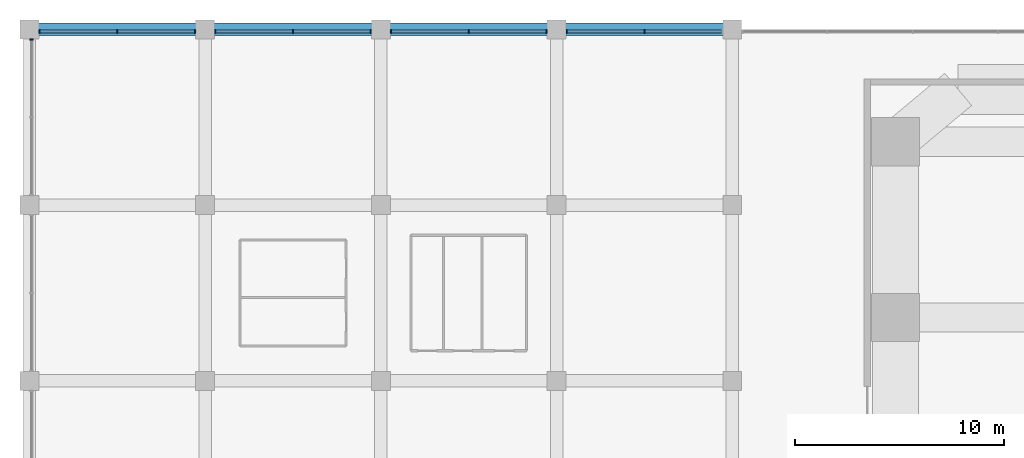
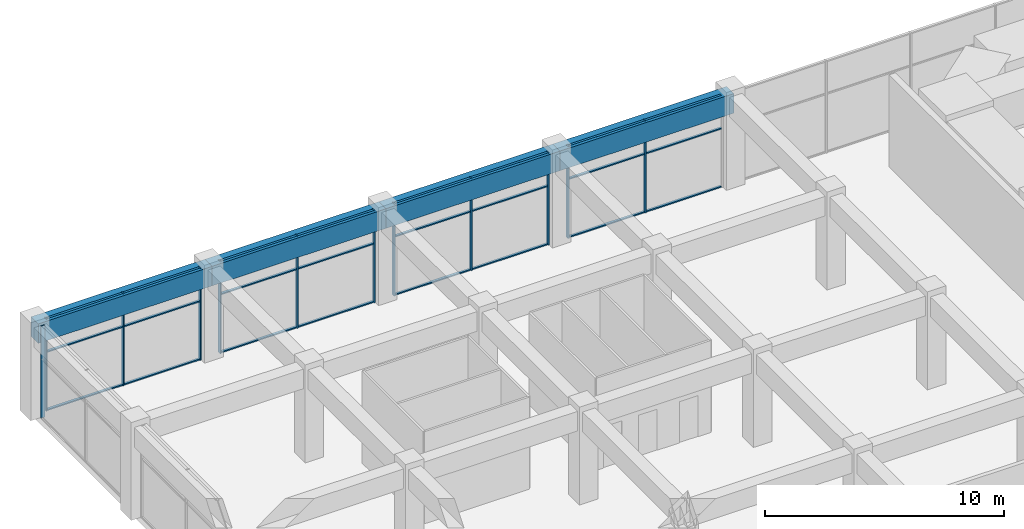
# One storey, part 18 of 34: 36 members, 4 beams, 5 elements without a shape of their own.
"""IFC4 building model written with IfcOpenShell, lengths in metres."""

from ifc_helpers import new_model, si_unit, direction, frame, origin, origin_2d, place, context, subcontext, project, spatial, rectangle, extrude, material, material_profile, profile_set, type_object, element, aggregate, save


model = new_model("IFC4")

# Units and contexts
model_context = context("Model", 3, precision=1e-05, world=origin(), true_north=direction((0.0, 1.0)))
body_context = subcontext(model_context, "Body", "Model", "MODEL_VIEW")
ifc_project = project(units=[si_unit("LENGTHUNIT", "METRE"), si_unit("AREAUNIT", "SQUARE_METRE"), si_unit("VOLUMEUNIT", "CUBIC_METRE"), si_unit("PLANEANGLEUNIT", "RADIAN"), si_unit("MASSUNIT", "GRAM", prefix="KILO")], contexts=[model_context])

# Site, building, storey
site_placement = place(None, origin())
site = spatial("IfcSite", under=ifc_project, at=site_placement, CompositionType="ELEMENT")
building_placement = place(site_placement, origin())
building = spatial("IfcBuilding", under=site, at=building_placement, Name="Impinga Residences", CompositionType="ELEMENT")
storey_placement = place(building_placement, frame((0.0, 0.0, 11.0)))
storey = spatial("IfcBuildingStorey", under=building, at=storey_placement, Name="L02", CompositionType="ELEMENT", Elevation=11.0)

# Curtain wall, member
ifc_material_1 = material(Name="Aluminium stick curtain wall", Category="aluminium")
curtain_wall_type = type_object("IfcCurtainWallType", Name="CW1 podium amenity curtain wall", PredefinedType="USERDEFINED", material=ifc_material_1)
curtain_wall_1_placement = place(storey_placement, origin())
curtain_wall_1 = element("IfcCurtainWall", 1, at=curtain_wall_1_placement, inside=storey, type_object=curtain_wall_type, Name="Curtain wall CW1 L02", ObjectType="STICK CURTAIN WALL", PredefinedType="USERDEFINED")
ifc_material_2 = material(Name="Aluminium mullion", Category="aluminium")
ifc_material_profile_1 = material_profile(ifc_material_2, rectangle(XDim=0.06005859375, YDim=0.179931640625, at=origin_2d()), Name="60x180 mullion")
ifc_profile_set_1 = profile_set([ifc_material_profile_1], Name="Aluminium mullion")
member_type_1 = type_object("IfcMemberType", Name="CW1-M mullion 60x180", PredefinedType="MULLION", material=ifc_profile_set_1)
member_1_placement = place(storey_placement, frame((-50.300048828125, 49.9169921875, 0.0), z_axis=(0.0, 0.0, 1.0), x_axis=(0.0, 1.0, 0.0)))
member_1 = element("IfcMember", 2, at=member_1_placement, type_object=member_type_1, Name="CW1 mullion 3", PredefinedType="MULLION", context=body_context, shape_type="SweptSolid", body=[
    extrude(rectangle(XDim=0.06005859375, YDim=0.179931640625, at=origin_2d()), origin(), (0.0, 0.0, 1.0), 4.699951171875),
])
aggregate(curtain_wall_1, [member_1])

# Curtain wall, members
curtain_wall_2_placement = place(storey_placement, origin())
curtain_wall_2 = element("IfcCurtainWall", 3, at=curtain_wall_2_placement, inside=storey, type_object=curtain_wall_type, Name="Curtain wall CW1 L02", ObjectType="STICK CURTAIN WALL", PredefinedType="USERDEFINED")
member_2_placement = place(storey_placement, frame((-49.9169921875, 50.300048828125, 0.0), z_axis=(0.0, 0.0, 1.0), x_axis=(1.0, 0.0, 0.0)))
member_2 = element("IfcMember", 4, at=member_2_placement, type_object=member_type_1, Name="CW1 mullion 1", PredefinedType="MULLION", context=body_context, shape_type="SweptSolid", body=[
    extrude(rectangle(XDim=0.06005859375, YDim=0.179931640625, at=origin_2d()), origin(), (0.0, 0.0, 1.0), 4.699951171875),
])
member_3_placement = place(storey_placement, frame((-46.199951171875, 50.300048828125, 0.0), z_axis=(0.0, 0.0, 1.0), x_axis=(1.0, 0.0, 0.0)))
member_3 = element("IfcMember", 5, at=member_3_placement, type_object=member_type_1, Name="CW1 mullion 2", PredefinedType="MULLION", context=body_context, shape_type="SweptSolid", body=[
    extrude(rectangle(XDim=0.06005859375, YDim=0.179931640625, at=origin_2d()), origin(), (0.0, 0.0, 1.0), 4.699951171875),
])
member_4_placement = place(storey_placement, frame((-42.48291015625, 50.300048828125, 0.0), z_axis=(0.0, 0.0, 1.0), x_axis=(1.0, 0.0, 0.0)))
member_4 = element("IfcMember", 6, at=member_4_placement, type_object=member_type_1, Name="CW1 mullion 3", PredefinedType="MULLION", context=body_context, shape_type="SweptSolid", body=[
    extrude(rectangle(XDim=0.06005859375, YDim=0.179931640625, at=origin_2d()), origin(), (0.0, 0.0, 1.0), 4.699951171875),
])

curtain_wall_3_placement = place(storey_placement, origin())
curtain_wall_3 = element("IfcCurtainWall", 7, at=curtain_wall_3_placement, inside=storey, type_object=curtain_wall_type, Name="Curtain wall CW1 L02", ObjectType="STICK CURTAIN WALL", PredefinedType="USERDEFINED")
member_5_placement = place(storey_placement, frame((-41.51708984375, 50.300048828125, 0.0), z_axis=(0.0, 0.0, 1.0), x_axis=(1.0, 0.0, 0.0)))
member_5 = element("IfcMember", 8, at=member_5_placement, type_object=member_type_1, Name="CW1 mullion 1", PredefinedType="MULLION", context=body_context, shape_type="SweptSolid", body=[
    extrude(rectangle(XDim=0.06005859375, YDim=0.179931640625, at=origin_2d()), origin(), (0.0, 0.0, 1.0), 4.699951171875),
])
member_6_placement = place(storey_placement, frame((-37.800048828125, 50.300048828125, 0.0), z_axis=(0.0, 0.0, 1.0), x_axis=(1.0, 0.0, 0.0)))
member_6 = element("IfcMember", 9, at=member_6_placement, type_object=member_type_1, Name="CW1 mullion 2", PredefinedType="MULLION", context=body_context, shape_type="SweptSolid", body=[
    extrude(rectangle(XDim=0.06005859375, YDim=0.179931640625, at=origin_2d()), origin(), (0.0, 0.0, 1.0), 4.699951171875),
])
member_7_placement = place(storey_placement, frame((-34.0830078125, 50.300048828125, 0.0), z_axis=(0.0, 0.0, 1.0), x_axis=(1.0, 0.0, 0.0)))
member_7 = element("IfcMember", 10, at=member_7_placement, type_object=member_type_1, Name="CW1 mullion 3", PredefinedType="MULLION", context=body_context, shape_type="SweptSolid", body=[
    extrude(rectangle(XDim=0.06005859375, YDim=0.179931640625, at=origin_2d()), origin(), (0.0, 0.0, 1.0), 4.699951171875),
])

curtain_wall_4_placement = place(storey_placement, origin())
curtain_wall_4 = element("IfcCurtainWall", 11, at=curtain_wall_4_placement, inside=storey, type_object=curtain_wall_type, Name="Curtain wall CW1 L02", ObjectType="STICK CURTAIN WALL", PredefinedType="USERDEFINED")
member_8_placement = place(storey_placement, frame((-33.116943359375, 50.300048828125, 0.0), z_axis=(0.0, 0.0, 1.0), x_axis=(1.0, 0.0, 0.0)))
member_8 = element("IfcMember", 12, at=member_8_placement, type_object=member_type_1, Name="CW1 mullion 1", PredefinedType="MULLION", context=body_context, shape_type="SweptSolid", body=[
    extrude(rectangle(XDim=0.06005859375, YDim=0.179931640625, at=origin_2d()), origin(), (0.0, 0.0, 1.0), 4.699951171875),
])
member_9_placement = place(storey_placement, frame((-29.39990234375, 50.300048828125, 0.0), z_axis=(0.0, 0.0, 1.0), x_axis=(1.0, 0.0, 0.0)))
member_9 = element("IfcMember", 13, at=member_9_placement, type_object=member_type_1, Name="CW1 mullion 2", PredefinedType="MULLION", context=body_context, shape_type="SweptSolid", body=[
    extrude(rectangle(XDim=0.06005859375, YDim=0.179931640625, at=origin_2d()), origin(), (0.0, 0.0, 1.0), 4.699951171875),
])
member_10_placement = place(storey_placement, frame((-25.68310546875, 50.300048828125, 0.0), z_axis=(0.0, 0.0, 1.0), x_axis=(1.0, 0.0, 0.0)))
member_10 = element("IfcMember", 14, at=member_10_placement, type_object=member_type_1, Name="CW1 mullion 3", PredefinedType="MULLION", context=body_context, shape_type="SweptSolid", body=[
    extrude(rectangle(XDim=0.06005859375, YDim=0.179931640625, at=origin_2d()), origin(), (0.0, 0.0, 1.0), 4.699951171875),
])

curtain_wall_5_placement = place(storey_placement, origin())
curtain_wall_5 = element("IfcCurtainWall", 15, at=curtain_wall_5_placement, inside=storey, type_object=curtain_wall_type, Name="Curtain wall CW1 L02", ObjectType="STICK CURTAIN WALL", PredefinedType="USERDEFINED")
member_11_placement = place(storey_placement, frame((-24.717041015625, 50.300048828125, 0.0), z_axis=(0.0, 0.0, 1.0), x_axis=(1.0, 0.0, 0.0)))
member_11 = element("IfcMember", 16, at=member_11_placement, type_object=member_type_1, Name="CW1 mullion 1", PredefinedType="MULLION", context=body_context, shape_type="SweptSolid", body=[
    extrude(rectangle(XDim=0.06005859375, YDim=0.179931640625, at=origin_2d()), origin(), (0.0, 0.0, 1.0), 4.699951171875),
])
member_12_placement = place(storey_placement, frame((-21.0, 50.300048828125, 0.0), z_axis=(0.0, 0.0, 1.0), x_axis=(1.0, 0.0, 0.0)))
member_12 = element("IfcMember", 17, at=member_12_placement, type_object=member_type_1, Name="CW1 mullion 2", PredefinedType="MULLION", context=body_context, shape_type="SweptSolid", body=[
    extrude(rectangle(XDim=0.06005859375, YDim=0.179931640625, at=origin_2d()), origin(), (0.0, 0.0, 1.0), 4.699951171875),
])

# Member
ifc_material_3 = material(Name="Aluminium transom", Category="aluminium")
ifc_material_profile_2 = material_profile(ifc_material_3, rectangle(XDim=0.06005859375, YDim=0.1201171875, at=origin_2d()), Name="60x120 transom")
ifc_profile_set_2 = profile_set([ifc_material_profile_2], Name="Aluminium transom")
member_type_2 = type_object("IfcMemberType", Name="CW1-T transom 60x120", PredefinedType="USERDEFINED", material=ifc_profile_set_2)
member_13_placement = place(storey_placement, frame((-49.886962890625, 50.300048828125, 0.030029296875), z_axis=(1.0, 0.0, 0.0), x_axis=(0.0, 0.0, 1.0)))
member_13 = element("IfcMember", 18, at=member_13_placement, type_object=member_type_2, Name="CW1 transom 1.1", ObjectType="TRANSOM", PredefinedType="USERDEFINED", context=body_context, shape_type="SweptSolid", body=[
    extrude(rectangle(XDim=0.06005859375, YDim=0.1201171875, at=origin_2d()), origin(), (0.0, 0.0, 1.0), 3.656982421875),
])

member_14_placement = place(storey_placement, frame((-49.886962890625, 50.300048828125, 3.0), z_axis=(1.0, 0.0, 0.0), x_axis=(0.0, 0.0, 1.0)))
member_14 = element("IfcMember", 19, at=member_14_placement, type_object=member_type_2, Name="CW1 transom 1.2", ObjectType="TRANSOM", PredefinedType="USERDEFINED", context=body_context, shape_type="SweptSolid", body=[
    extrude(rectangle(XDim=0.06005859375, YDim=0.1201171875, at=origin_2d()), origin(), (0.0, 0.0, 1.0), 3.656982421875),
])

member_15_placement = place(storey_placement, frame((-49.886962890625, 50.300048828125, 4.669921875), z_axis=(1.0, 0.0, 0.0), x_axis=(0.0, 0.0, 1.0)))
member_15 = element("IfcMember", 20, at=member_15_placement, type_object=member_type_2, Name="CW1 transom 1.3", ObjectType="TRANSOM", PredefinedType="USERDEFINED", context=body_context, shape_type="SweptSolid", body=[
    extrude(rectangle(XDim=0.06005859375, YDim=0.1201171875, at=origin_2d()), origin(), (0.0, 0.0, 1.0), 3.656982421875),
])

member_16_placement = place(storey_placement, frame((-46.169921875, 50.300048828125, 0.030029296875), z_axis=(1.0, 0.0, 0.0), x_axis=(0.0, 0.0, 1.0)))
member_16 = element("IfcMember", 21, at=member_16_placement, type_object=member_type_2, Name="CW1 transom 2.1", ObjectType="TRANSOM", PredefinedType="USERDEFINED", context=body_context, shape_type="SweptSolid", body=[
    extrude(rectangle(XDim=0.06005859375, YDim=0.1201171875, at=origin_2d()), origin(), (0.0, 0.0, 1.0), 3.656982421875),
])

member_17_placement = place(storey_placement, frame((-46.169921875, 50.300048828125, 3.0), z_axis=(1.0, 0.0, 0.0), x_axis=(0.0, 0.0, 1.0)))
member_17 = element("IfcMember", 22, at=member_17_placement, type_object=member_type_2, Name="CW1 transom 2.2", ObjectType="TRANSOM", PredefinedType="USERDEFINED", context=body_context, shape_type="SweptSolid", body=[
    extrude(rectangle(XDim=0.06005859375, YDim=0.1201171875, at=origin_2d()), origin(), (0.0, 0.0, 1.0), 3.656982421875),
])

member_18_placement = place(storey_placement, frame((-46.169921875, 50.300048828125, 4.669921875), z_axis=(1.0, 0.0, 0.0), x_axis=(0.0, 0.0, 1.0)))
member_18 = element("IfcMember", 23, at=member_18_placement, type_object=member_type_2, Name="CW1 transom 2.3", ObjectType="TRANSOM", PredefinedType="USERDEFINED", context=body_context, shape_type="SweptSolid", body=[
    extrude(rectangle(XDim=0.06005859375, YDim=0.1201171875, at=origin_2d()), origin(), (0.0, 0.0, 1.0), 3.656982421875),
])

aggregate(curtain_wall_2, [member_2, member_3, member_4, member_13, member_14, member_15, member_16, member_17, member_18])

member_19_placement = place(storey_placement, frame((-41.487060546875, 50.300048828125, 0.030029296875), z_axis=(1.0, 0.0, 0.0), x_axis=(0.0, 0.0, 1.0)))
member_19 = element("IfcMember", 24, at=member_19_placement, type_object=member_type_2, Name="CW1 transom 1.1", ObjectType="TRANSOM", PredefinedType="USERDEFINED", context=body_context, shape_type="SweptSolid", body=[
    extrude(rectangle(XDim=0.06005859375, YDim=0.1201171875, at=origin_2d()), origin(), (0.0, 0.0, 1.0), 3.656982421875),
])

member_20_placement = place(storey_placement, frame((-41.487060546875, 50.300048828125, 3.0), z_axis=(1.0, 0.0, 0.0), x_axis=(0.0, 0.0, 1.0)))
member_20 = element("IfcMember", 25, at=member_20_placement, type_object=member_type_2, Name="CW1 transom 1.2", ObjectType="TRANSOM", PredefinedType="USERDEFINED", context=body_context, shape_type="SweptSolid", body=[
    extrude(rectangle(XDim=0.06005859375, YDim=0.1201171875, at=origin_2d()), origin(), (0.0, 0.0, 1.0), 3.656982421875),
])

member_21_placement = place(storey_placement, frame((-41.487060546875, 50.300048828125, 4.669921875), z_axis=(1.0, 0.0, 0.0), x_axis=(0.0, 0.0, 1.0)))
member_21 = element("IfcMember", 26, at=member_21_placement, type_object=member_type_2, Name="CW1 transom 1.3", ObjectType="TRANSOM", PredefinedType="USERDEFINED", context=body_context, shape_type="SweptSolid", body=[
    extrude(rectangle(XDim=0.06005859375, YDim=0.1201171875, at=origin_2d()), origin(), (0.0, 0.0, 1.0), 3.656982421875),
])

member_22_placement = place(storey_placement, frame((-37.77001953125, 50.300048828125, 0.030029296875), z_axis=(1.0, 0.0, 0.0), x_axis=(0.0, 0.0, 1.0)))
member_22 = element("IfcMember", 27, at=member_22_placement, type_object=member_type_2, Name="CW1 transom 2.1", ObjectType="TRANSOM", PredefinedType="USERDEFINED", context=body_context, shape_type="SweptSolid", body=[
    extrude(rectangle(XDim=0.06005859375, YDim=0.1201171875, at=origin_2d()), origin(), (0.0, 0.0, 1.0), 3.656982421875),
])

member_23_placement = place(storey_placement, frame((-37.77001953125, 50.300048828125, 3.0), z_axis=(1.0, 0.0, 0.0), x_axis=(0.0, 0.0, 1.0)))
member_23 = element("IfcMember", 28, at=member_23_placement, type_object=member_type_2, Name="CW1 transom 2.2", ObjectType="TRANSOM", PredefinedType="USERDEFINED", context=body_context, shape_type="SweptSolid", body=[
    extrude(rectangle(XDim=0.06005859375, YDim=0.1201171875, at=origin_2d()), origin(), (0.0, 0.0, 1.0), 3.656982421875),
])

member_24_placement = place(storey_placement, frame((-37.77001953125, 50.300048828125, 4.669921875), z_axis=(1.0, 0.0, 0.0), x_axis=(0.0, 0.0, 1.0)))
member_24 = element("IfcMember", 29, at=member_24_placement, type_object=member_type_2, Name="CW1 transom 2.3", ObjectType="TRANSOM", PredefinedType="USERDEFINED", context=body_context, shape_type="SweptSolid", body=[
    extrude(rectangle(XDim=0.06005859375, YDim=0.1201171875, at=origin_2d()), origin(), (0.0, 0.0, 1.0), 3.656982421875),
])

aggregate(curtain_wall_3, [member_5, member_6, member_7, member_19, member_20, member_21, member_22, member_23, member_24])

member_25_placement = place(storey_placement, frame((-33.0869140625, 50.300048828125, 0.030029296875), z_axis=(1.0, 0.0, 0.0), x_axis=(0.0, 0.0, 1.0)))
member_25 = element("IfcMember", 30, at=member_25_placement, type_object=member_type_2, Name="CW1 transom 1.1", ObjectType="TRANSOM", PredefinedType="USERDEFINED", context=body_context, shape_type="SweptSolid", body=[
    extrude(rectangle(XDim=0.06005859375, YDim=0.1201171875, at=origin_2d()), origin(), (0.0, 0.0, 1.0), 3.656982421875),
])

member_26_placement = place(storey_placement, frame((-33.0869140625, 50.300048828125, 3.0), z_axis=(1.0, 0.0, 0.0), x_axis=(0.0, 0.0, 1.0)))
member_26 = element("IfcMember", 31, at=member_26_placement, type_object=member_type_2, Name="CW1 transom 1.2", ObjectType="TRANSOM", PredefinedType="USERDEFINED", context=body_context, shape_type="SweptSolid", body=[
    extrude(rectangle(XDim=0.06005859375, YDim=0.1201171875, at=origin_2d()), origin(), (0.0, 0.0, 1.0), 3.656982421875),
])

member_27_placement = place(storey_placement, frame((-33.0869140625, 50.300048828125, 4.669921875), z_axis=(1.0, 0.0, 0.0), x_axis=(0.0, 0.0, 1.0)))
member_27 = element("IfcMember", 32, at=member_27_placement, type_object=member_type_2, Name="CW1 transom 1.3", ObjectType="TRANSOM", PredefinedType="USERDEFINED", context=body_context, shape_type="SweptSolid", body=[
    extrude(rectangle(XDim=0.06005859375, YDim=0.1201171875, at=origin_2d()), origin(), (0.0, 0.0, 1.0), 3.656982421875),
])

member_28_placement = place(storey_placement, frame((-29.3701171875, 50.300048828125, 0.030029296875), z_axis=(1.0, 0.0, 0.0), x_axis=(0.0, 0.0, 1.0)))
member_28 = element("IfcMember", 33, at=member_28_placement, type_object=member_type_2, Name="CW1 transom 2.1", ObjectType="TRANSOM", PredefinedType="USERDEFINED", context=body_context, shape_type="SweptSolid", body=[
    extrude(rectangle(XDim=0.06005859375, YDim=0.1201171875, at=origin_2d()), origin(), (0.0, 0.0, 1.0), 3.6572265625),
])

member_29_placement = place(storey_placement, frame((-29.3701171875, 50.300048828125, 3.0), z_axis=(1.0, 0.0, 0.0), x_axis=(0.0, 0.0, 1.0)))
member_29 = element("IfcMember", 34, at=member_29_placement, type_object=member_type_2, Name="CW1 transom 2.2", ObjectType="TRANSOM", PredefinedType="USERDEFINED", context=body_context, shape_type="SweptSolid", body=[
    extrude(rectangle(XDim=0.06005859375, YDim=0.1201171875, at=origin_2d()), origin(), (0.0, 0.0, 1.0), 3.6572265625),
])

member_30_placement = place(storey_placement, frame((-29.3701171875, 50.300048828125, 4.669921875), z_axis=(1.0, 0.0, 0.0), x_axis=(0.0, 0.0, 1.0)))
member_30 = element("IfcMember", 35, at=member_30_placement, type_object=member_type_2, Name="CW1 transom 2.3", ObjectType="TRANSOM", PredefinedType="USERDEFINED", context=body_context, shape_type="SweptSolid", body=[
    extrude(rectangle(XDim=0.06005859375, YDim=0.1201171875, at=origin_2d()), origin(), (0.0, 0.0, 1.0), 3.6572265625),
])

aggregate(curtain_wall_4, [member_8, member_9, member_10, member_25, member_26, member_27, member_28, member_29, member_30])

member_31_placement = place(storey_placement, frame((-24.68701171875, 50.300048828125, 0.030029296875), z_axis=(1.0, 0.0, 0.0), x_axis=(0.0, 0.0, 1.0)))
member_31 = element("IfcMember", 36, at=member_31_placement, type_object=member_type_2, Name="CW1 transom 1.1", ObjectType="TRANSOM", PredefinedType="USERDEFINED", context=body_context, shape_type="SweptSolid", body=[
    extrude(rectangle(XDim=0.06005859375, YDim=0.1201171875, at=origin_2d()), origin(), (0.0, 0.0, 1.0), 3.656982421875),
])

member_32_placement = place(storey_placement, frame((-24.68701171875, 50.300048828125, 3.0), z_axis=(1.0, 0.0, 0.0), x_axis=(0.0, 0.0, 1.0)))
member_32 = element("IfcMember", 37, at=member_32_placement, type_object=member_type_2, Name="CW1 transom 1.2", ObjectType="TRANSOM", PredefinedType="USERDEFINED", context=body_context, shape_type="SweptSolid", body=[
    extrude(rectangle(XDim=0.06005859375, YDim=0.1201171875, at=origin_2d()), origin(), (0.0, 0.0, 1.0), 3.656982421875),
])

member_33_placement = place(storey_placement, frame((-24.68701171875, 50.300048828125, 4.669921875), z_axis=(1.0, 0.0, 0.0), x_axis=(0.0, 0.0, 1.0)))
member_33 = element("IfcMember", 38, at=member_33_placement, type_object=member_type_2, Name="CW1 transom 1.3", ObjectType="TRANSOM", PredefinedType="USERDEFINED", context=body_context, shape_type="SweptSolid", body=[
    extrude(rectangle(XDim=0.06005859375, YDim=0.1201171875, at=origin_2d()), origin(), (0.0, 0.0, 1.0), 3.656982421875),
])

member_34_placement = place(storey_placement, frame((-20.969970703125, 50.300048828125, 0.030029296875), z_axis=(1.0, 0.0, 0.0), x_axis=(0.0, 0.0, 1.0)))
member_34 = element("IfcMember", 39, at=member_34_placement, type_object=member_type_2, Name="CW1 transom 2.1", ObjectType="TRANSOM", PredefinedType="USERDEFINED", context=body_context, shape_type="SweptSolid", body=[
    extrude(rectangle(XDim=0.06005859375, YDim=0.1201171875, at=origin_2d()), origin(), (0.0, 0.0, 1.0), 3.656982421875),
])

member_35_placement = place(storey_placement, frame((-20.969970703125, 50.300048828125, 3.0), z_axis=(1.0, 0.0, 0.0), x_axis=(0.0, 0.0, 1.0)))
member_35 = element("IfcMember", 40, at=member_35_placement, type_object=member_type_2, Name="CW1 transom 2.2", ObjectType="TRANSOM", PredefinedType="USERDEFINED", context=body_context, shape_type="SweptSolid", body=[
    extrude(rectangle(XDim=0.06005859375, YDim=0.1201171875, at=origin_2d()), origin(), (0.0, 0.0, 1.0), 3.656982421875),
])

member_36_placement = place(storey_placement, frame((-20.969970703125, 50.300048828125, 4.669921875), z_axis=(1.0, 0.0, 0.0), x_axis=(0.0, 0.0, 1.0)))
member_36 = element("IfcMember", 41, at=member_36_placement, type_object=member_type_2, Name="CW1 transom 2.3", ObjectType="TRANSOM", PredefinedType="USERDEFINED", context=body_context, shape_type="SweptSolid", body=[
    extrude(rectangle(XDim=0.06005859375, YDim=0.1201171875, at=origin_2d()), origin(), (0.0, 0.0, 1.0), 3.656982421875),
])

aggregate(curtain_wall_5, [member_11, member_12, member_31, member_32, member_33, member_34, member_35, member_36])

# Beams
ifc_material_4 = material(Name="Concrete C60/75", Category="concrete")
ifc_material_profile_3 = material_profile(ifc_material_4, rectangle(XDim=0.60009765625, YDim=1.0, at=origin_2d()), Name="RC 600x1000")
ifc_profile_set_3 = profile_set([ifc_material_profile_3], Name="Concrete C60/75")
beam_type = type_object("IfcBeamType", Name="PB2 600x1000 podium beam", PredefinedType="BEAM", material=ifc_profile_set_3)
for number, where, z_axis, x_axis, name in (
    (42, (-50.39990234375, 50.39990234375, 4.199951171875), (1.0, 0.0, 0.0), (0.0, 1.0, 0.0), "Beam PB2 M/1-2 level L03"),
    (43, (-42.0, 50.39990234375, 4.199951171875), (1.0, 0.0, 0.0), (0.0, 1.0, 0.0), "Beam PB2 M/2-3 level L03"),
):
    element("IfcBeam", number, at=place(storey_placement, frame(where, z_axis=z_axis, x_axis=x_axis)), inside=storey, type_object=beam_type, Name=name, PredefinedType="BEAM", context=body_context, shape_type="SweptSolid", body=[
        extrude(rectangle(XDim=0.60009765625, YDim=1.0, at=origin_2d()), origin(), (0.0, 0.0, 1.0), 8.39990234375),
    ])
beam_1_placement = place(storey_placement, frame((-33.60009765625, 50.39990234375, 4.199951171875), z_axis=(1.0, 0.0, 0.0), x_axis=(0.0, 1.0, 0.0)))
element("IfcBeam", 44, at=beam_1_placement, inside=storey, type_object=beam_type, Name="Beam PB2 M/3-4 level L03", PredefinedType="BEAM", context=body_context, shape_type="SweptSolid", body=[
    extrude(rectangle(XDim=0.60009765625, YDim=1.0, at=origin_2d()), origin(), (0.0, 0.0, 1.0), 8.400146484375),
])
beam_2_placement = place(storey_placement, frame((-25.199951171875, 50.39990234375, 4.199951171875), z_axis=(1.0, 0.0, 0.0), x_axis=(0.0, 1.0, 0.0)))
element("IfcBeam", 45, at=beam_2_placement, inside=storey, type_object=beam_type, Name="Beam PB2 M/4-5 level L03", PredefinedType="BEAM", context=body_context, shape_type="SweptSolid", body=[
    extrude(rectangle(XDim=0.60009765625, YDim=1.0, at=origin_2d()), origin(), (0.0, 0.0, 1.0), 8.39990234375),
])

save(model, "model.ifc")
